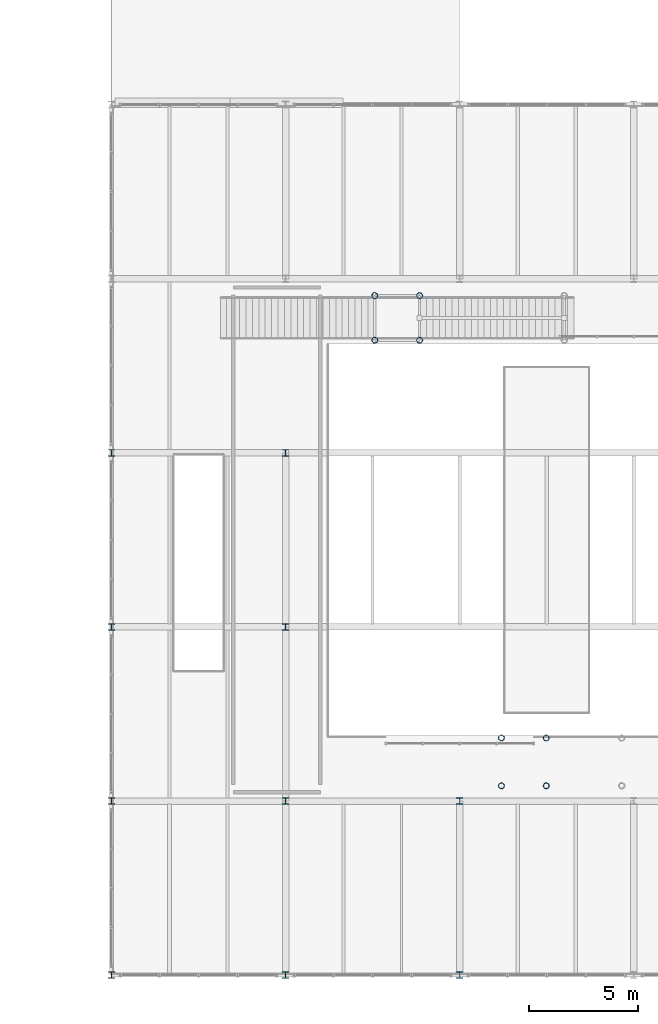
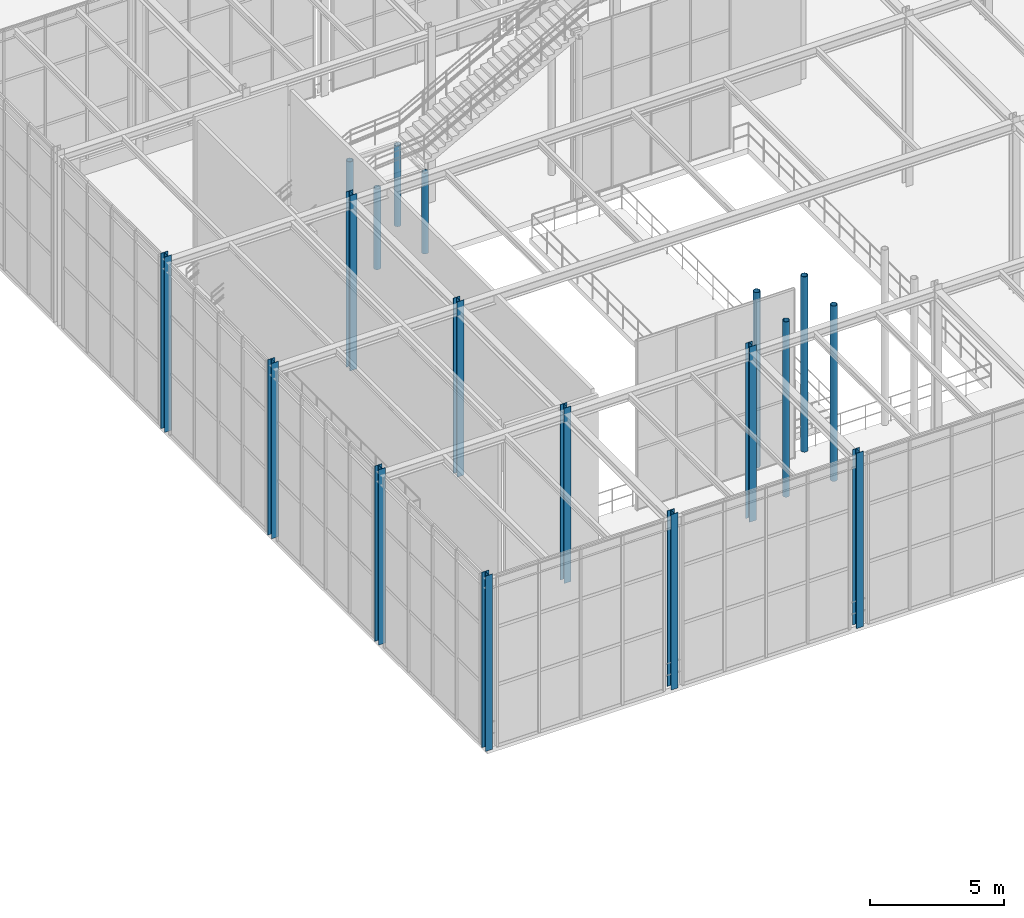
# One storey, part 2 of 138: 18 columns.
"""IFC4 building model written with IfcOpenShell, lengths in metres."""

from ifc_helpers import new_model, si_unit, direction, frame, origin, origin_2d, place, context, subcontext, project, spatial, hollow_circle, i_section, extrude, material, material_profile, profile_set, type_object, element, save


model = new_model("IFC4")

# Units and contexts
model_context = context("Model", 3, precision=1e-05, world=origin(), true_north=direction((0.0, 1.0)))
body_context = subcontext(model_context, "Body", "Model", "MODEL_VIEW")
ifc_project = project(units=[si_unit("LENGTHUNIT", "METRE"), si_unit("AREAUNIT", "SQUARE_METRE"), si_unit("VOLUMEUNIT", "CUBIC_METRE"), si_unit("PLANEANGLEUNIT", "RADIAN"), si_unit("MASSUNIT", "GRAM", prefix="KILO")], contexts=[model_context])

# Site, building, storey
site_placement = place(None, origin())
site = spatial("IfcSite", under=ifc_project, at=site_placement, CompositionType="ELEMENT")
building_placement = place(site_placement, origin())
building = spatial("IfcBuilding", under=site, at=building_placement, Name="Sundkrona Museum", CompositionType="ELEMENT")
storey_placement = place(building_placement, frame((0.0, 0.0, 9.60009765625)))
storey = spatial("IfcBuildingStorey", under=building, at=storey_placement, Name="L02", CompositionType="ELEMENT", Elevation=9.60009765625)

# Columns
ifc_material = material(Name="Steel S355J2", Category="steel")
ifc_material_profile_1 = material_profile(ifc_material, hollow_circle(Radius=0.136474609375, WallThickness=0.012451171875, at=origin_2d()), Name="CHS 273.0x12.5")
ifc_profile_set_1 = profile_set([ifc_material_profile_1], Name="Steel S355J2")
column_type_1 = type_object("IfcColumnType", Name="C-CHS273", PredefinedType="COLUMN", material=ifc_profile_set_1)
for number, where, z_axis, x_axis, name in (
    (1, (92.10009765625, 29.175048828125, 0.0), (0.0, 0.0, 1.0), (1.0, 0.0, 0.0), "L02 Feature Stair FS-3 Column S1-1"),
    (2, (92.10009765625, 31.22509765625, 0.0), (0.0, 0.0, 1.0), (1.0, 0.0, 0.0), "L02 Feature Stair FS-3 Column S1-2"),
    (3, (94.159912109375, 29.175048828125, 0.0), (0.0, 0.0, 1.0), (1.0, 0.0, 0.0), "L02 Feature Stair FS-3 Column S2-1"),
    (4, (94.159912109375, 31.22509765625, 0.0), (0.0, 0.0, 1.0), (1.0, 0.0, 0.0), "L02 Feature Stair FS-3 Column S2-2"),
):
    element("IfcColumn", number, at=place(storey_placement, frame(where, z_axis=z_axis, x_axis=x_axis)), inside=storey, type_object=column_type_1, Name=name, PredefinedType="COLUMN", context=body_context, shape_type="SweptSolid", body=[
        extrude(hollow_circle(Radius=0.136474609375, WallThickness=0.012451171875, at=origin_2d()), origin(), (0.0, 0.0, 1.0), 3.679931640625),
    ])
for number, where, z_axis, x_axis, name in (
    (5, (97.919921875, 8.699951171875, 0.0), (0.0, 0.0, 1.0), (1.0, 0.0, 0.0), "L02 Feature Stair FS-4 Column S1-1"),
    (6, (97.919921875, 10.89990234375, 0.0), (0.0, 0.0, 1.0), (1.0, 0.0, 0.0), "L02 Feature Stair FS-4 Column S1-2"),
    (7, (99.97998046875, 8.699951171875, 0.0), (0.0, 0.0, 1.0), (1.0, 0.0, 0.0), "L02 Feature Stair FS-4 Column S2-1"),
    (8, (99.97998046875, 10.89990234375, 0.0), (0.0, 0.0, 1.0), (1.0, 0.0, 0.0), "L02 Feature Stair FS-4 Column S2-2"),
):
    element("IfcColumn", number, at=place(storey_placement, frame(where, z_axis=z_axis, x_axis=x_axis)), inside=storey, type_object=column_type_1, Name=name, PredefinedType="COLUMN", context=body_context, shape_type="SweptSolid", body=[
        extrude(hollow_circle(Radius=0.136474609375, WallThickness=0.012451171875, at=origin_2d()), origin(), (0.0, 0.0, 1.0), 8.0),
    ])
ifc_material_profile_2 = material_profile(ifc_material, i_section(OverallWidth=0.300048828125, OverallDepth=0.300048828125, WebThickness=0.010986328125, FlangeThickness=0.01904296875, FilletRadius=0.027099609375, at=origin_2d()), Name="HEB 300")
ifc_profile_set_2 = profile_set([ifc_material_profile_2], Name="Steel S355J2")
column_type_2 = type_object("IfcColumnType", Name="C-HEB300", PredefinedType="COLUMN", material=ifc_profile_set_2)
for number, where, z_axis, x_axis, name in (
    (9, (80.0, 0.0, 0.0), (0.0, 0.0, 1.0), (1.0, 0.0, 0.0), "L02 Column A/11"),
    (10, (80.0, 8.0, 0.0), (0.0, 0.0, 1.0), (1.0, 0.0, 0.0), "L02 Column B/11"),
    (11, (80.0, 16.0, 0.0), (0.0, 0.0, 1.0), (1.0, 0.0, 0.0), "L02 Column C/11"),
    (12, (80.0, 24.0, 0.0), (0.0, 0.0, 1.0), (1.0, 0.0, 0.0), "L02 Column D/11"),
    (13, (88.0, 0.0, 0.0), (0.0, 0.0, 1.0), (1.0, 0.0, 0.0), "L02 Column A/12"),
    (14, (88.0, 8.0, 0.0), (0.0, 0.0, 1.0), (1.0, 0.0, 0.0), "L02 Column B/12"),
    (15, (88.0, 16.0, 0.0), (0.0, 0.0, 1.0), (1.0, 0.0, 0.0), "L02 Column C/12"),
    (16, (88.0, 24.0, 0.0), (0.0, 0.0, 1.0), (1.0, 0.0, 0.0), "L02 Column D/12"),
    (17, (96.0, 0.0, 0.0), (0.0, 0.0, 1.0), (1.0, 0.0, 0.0), "L02 Column A/13"),
    (18, (96.0, 8.0, 0.0), (0.0, 0.0, 1.0), (1.0, 0.0, 0.0), "L02 Column B/13"),
):
    element("IfcColumn", number, at=place(storey_placement, frame(where, z_axis=z_axis, x_axis=x_axis)), inside=storey, type_object=column_type_2, Name=name, PredefinedType="COLUMN", context=body_context, shape_type="SweptSolid", body=[
        extrude(i_section(OverallWidth=0.300048828125, OverallDepth=0.300048828125, WebThickness=0.010986328125, FlangeThickness=0.01904296875, FilletRadius=0.027099609375, at=origin_2d()), origin(), (0.0, 0.0, 1.0), 8.0),
    ])

save(model, "model.ifc")
